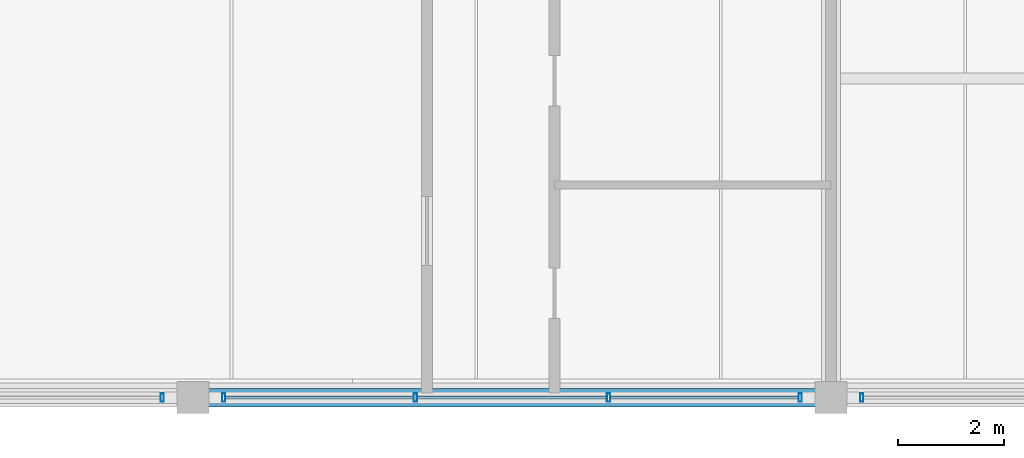
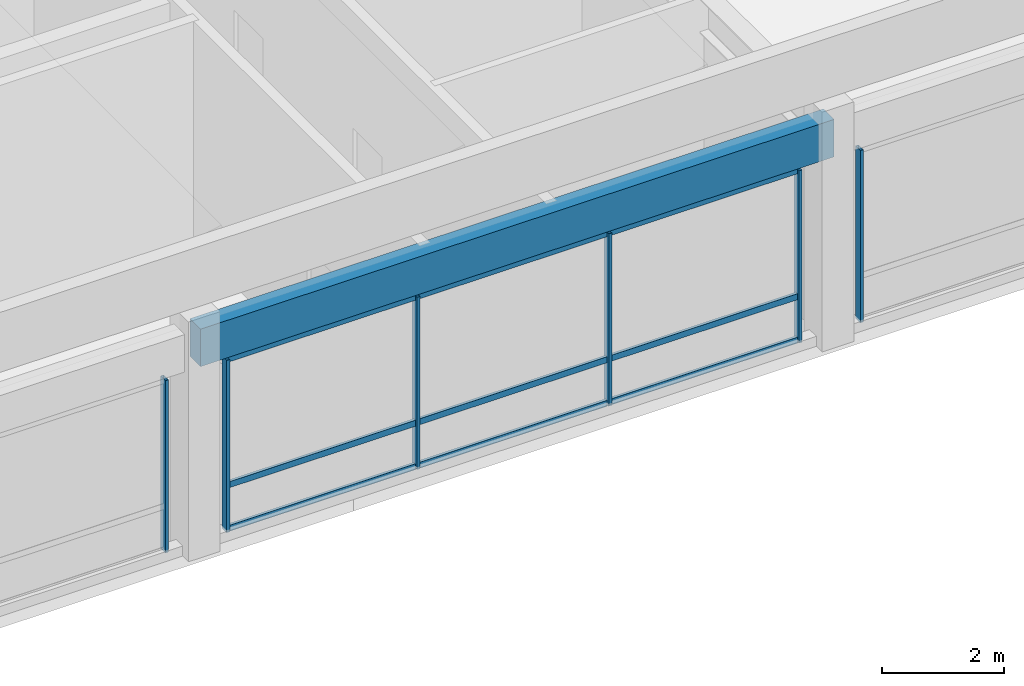
# One storey, part 5 of 16: 15 members, 1 beam, 3 elements without a shape of their own.
"""IFC4 building model written with IfcOpenShell, lengths in metres."""

from ifc_helpers import new_model, si_unit, direction, frame, origin, origin_2d, place, context, subcontext, project, spatial, rectangle, hollow_rectangle, extrude, material, material_profile, profile_set, type_object, element, aggregate, save


model = new_model("IFC4")

# Units and contexts
model_context = context("Model", 3, precision=1e-05, world=origin(), true_north=direction((0.0, 1.0)))
body_context = subcontext(model_context, "Body", "Model", "MODEL_VIEW")
ifc_project = project(units=[si_unit("LENGTHUNIT", "METRE"), si_unit("AREAUNIT", "SQUARE_METRE"), si_unit("VOLUMEUNIT", "CUBIC_METRE"), si_unit("PLANEANGLEUNIT", "RADIAN"), si_unit("MASSUNIT", "GRAM", prefix="KILO")], contexts=[model_context])

# Site, building, storey
site_placement = place(None, origin())
site = spatial("IfcSite", under=ifc_project, at=site_placement, CompositionType="ELEMENT")
building_placement = place(site_placement, origin())
building = spatial("IfcBuilding", under=site, at=building_placement, Name="Kaldorvane Square Convention Centre", CompositionType="ELEMENT")
storey_placement = place(building_placement, frame((0.0, 0.0, 70.80000305175781)))
storey = spatial("IfcBuildingStorey", under=building, at=storey_placement, Name="L17", CompositionType="ELEMENT", Elevation=70.80000305175781)

# Beam
ifc_material_1 = material(Name="Concrete f'c = 42 MPa (Normalweight)", Category="concrete")
ifc_material_profile_1 = material_profile(ifc_material_1, rectangle(XDim=0.350006103515625, YDim=0.75, at=origin_2d()), Name="RCSP750X350")
ifc_profile_set_1 = profile_set([ifc_material_profile_1], Name="Concrete f'c = 42 MPa (Normalweight)")
beam_type = type_object("IfcBeamType", Name="BM-SP-RC750", PredefinedType="SPANDREL", material=ifc_profile_set_1)
beam_placement = place(storey_placement, frame((54.0, 84.0, 4.1009979248046875), z_axis=(1.0, 0.0, 0.0), x_axis=(0.0, 1.0, 0.0)))
element("IfcBeam", 1, at=beam_placement, inside=storey, type_object=beam_type, Name="Perimeter Spandrel (L17)", PredefinedType="SPANDREL", context=body_context, shape_type="SweptSolid", body=[
    extrude(rectangle(XDim=0.350006103515625, YDim=0.75, at=origin_2d()), origin(), (0.0, 0.0, 1.0), 12.0),
])

# Curtain wall, member
ifc_material_2 = material(Name="Anodized Aluminum and Low-E Insulated Glazing", Category="aluminium")
curtain_wall_type = type_object("IfcCurtainWallType", Name="CW-UNI-PNT-12", PredefinedType="USERDEFINED", material=ifc_material_2)
curtain_wall_1_placement = place(storey_placement, origin())
curtain_wall_1 = element("IfcCurtainWall", 2, at=curtain_wall_1_placement, inside=storey, type_object=curtain_wall_type, Name="Curtain Wall CW-12 (L17)", ObjectType="UNITISED GLAZING", PredefinedType="USERDEFINED")
ifc_material_profile_2 = material_profile(ifc_material_2, hollow_rectangle(XDim=0.05999755859375, YDim=0.160003662109375, WallThickness=0.003204345703125, at=origin_2d()), Name="CWM-160X60")
ifc_profile_set_2 = profile_set([ifc_material_profile_2], Name="Anodized Aluminum and Low-E Insulated Glazing")
member_type_1 = type_object("IfcMemberType", Name="CW-MUL-160", PredefinedType="MULLION", material=ifc_profile_set_2)
member_1_placement = place(storey_placement, frame((53.41999816894531, 84.0, 0.149993896484375), z_axis=(0.0, 0.0, 1.0), x_axis=(1.0, 0.0, 0.0)))
member_1 = element("IfcMember", 3, at=member_1_placement, type_object=member_type_1, Name="CW-12 mullion 4", PredefinedType="MULLION", context=body_context, shape_type="SweptSolid", body=[
    extrude(hollow_rectangle(XDim=0.05999755859375, YDim=0.160003662109375, WallThickness=0.003204345703125, at=origin_2d()), origin(), (0.0, 0.0, 1.0), 3.4499969482421875),
])
aggregate(curtain_wall_1, [member_1])

# Curtain wall, members
curtain_wall_2_placement = place(storey_placement, origin())
curtain_wall_2 = element("IfcCurtainWall", 4, at=curtain_wall_2_placement, inside=storey, type_object=curtain_wall_type, Name="Curtain Wall CW-12 (L17)", ObjectType="UNITISED GLAZING", PredefinedType="USERDEFINED")
member_2_placement = place(storey_placement, frame((54.58000183105469, 84.0, 0.149993896484375), z_axis=(0.0, 0.0, 1.0), x_axis=(1.0, 0.0, 0.0)))
member_2 = element("IfcMember", 5, at=member_2_placement, type_object=member_type_1, Name="CW-12 mullion 1", PredefinedType="MULLION", context=body_context, shape_type="SweptSolid", body=[
    extrude(hollow_rectangle(XDim=0.05999755859375, YDim=0.160003662109375, WallThickness=0.003204345703125, at=origin_2d()), origin(), (0.0, 0.0, 1.0), 3.4499969482421875),
])
member_3_placement = place(storey_placement, frame((58.18333435058594, 84.0, 0.149993896484375), z_axis=(0.0, 0.0, 1.0), x_axis=(1.0, 0.0, 0.0)))
member_3 = element("IfcMember", 6, at=member_3_placement, type_object=member_type_1, Name="CW-12 mullion 2", PredefinedType="MULLION", context=body_context, shape_type="SweptSolid", body=[
    extrude(hollow_rectangle(XDim=0.05999755859375, YDim=0.160003662109375, WallThickness=0.003204345703125, at=origin_2d()), origin(), (0.0, 0.0, 1.0), 3.4499969482421875),
])
member_4_placement = place(storey_placement, frame((61.81666564941406, 84.0, 0.149993896484375), z_axis=(0.0, 0.0, 1.0), x_axis=(1.0, 0.0, 0.0)))
member_4 = element("IfcMember", 7, at=member_4_placement, type_object=member_type_1, Name="CW-12 mullion 3", PredefinedType="MULLION", context=body_context, shape_type="SweptSolid", body=[
    extrude(hollow_rectangle(XDim=0.05999755859375, YDim=0.160003662109375, WallThickness=0.003204345703125, at=origin_2d()), origin(), (0.0, 0.0, 1.0), 3.4499969482421875),
])
member_5_placement = place(storey_placement, frame((65.41999816894531, 84.0, 0.149993896484375), z_axis=(0.0, 0.0, 1.0), x_axis=(1.0, 0.0, 0.0)))
member_5 = element("IfcMember", 8, at=member_5_placement, type_object=member_type_1, Name="CW-12 mullion 4", PredefinedType="MULLION", context=body_context, shape_type="SweptSolid", body=[
    extrude(hollow_rectangle(XDim=0.05999755859375, YDim=0.160003662109375, WallThickness=0.003204345703125, at=origin_2d()), origin(), (0.0, 0.0, 1.0), 3.4499969482421875),
])

# Curtain wall, member
curtain_wall_3_placement = place(storey_placement, origin())
curtain_wall_3 = element("IfcCurtainWall", 9, at=curtain_wall_3_placement, inside=storey, type_object=curtain_wall_type, Name="Curtain Wall CW-12 (L17)", ObjectType="UNITISED GLAZING", PredefinedType="USERDEFINED")
member_6_placement = place(storey_placement, frame((66.58000183105469, 84.0, 0.149993896484375), z_axis=(0.0, 0.0, 1.0), x_axis=(1.0, 0.0, 0.0)))
member_6 = element("IfcMember", 10, at=member_6_placement, type_object=member_type_1, Name="CW-12 mullion 1", PredefinedType="MULLION", context=body_context, shape_type="SweptSolid", body=[
    extrude(hollow_rectangle(XDim=0.05999755859375, YDim=0.160003662109375, WallThickness=0.003204345703125, at=origin_2d()), origin(), (0.0, 0.0, 1.0), 3.4499969482421875),
])
aggregate(curtain_wall_3, [member_6])

# Member
ifc_material_profile_3 = material_profile(ifc_material_2, hollow_rectangle(XDim=0.05499267578125, YDim=0.1199951171875, WallThickness=0.0030059814453125, at=origin_2d()), Name="CWT-120X55")
ifc_profile_set_3 = profile_set([ifc_material_profile_3], Name="Anodized Aluminum and Low-E Insulated Glazing")
member_type_2 = type_object("IfcMemberType", Name="CW-TRN-120", PredefinedType="USERDEFINED", material=ifc_profile_set_3)
member_7_placement = place(storey_placement, frame((54.61000061035156, 84.0, 0.177490234375), z_axis=(1.0, 0.0, 0.0), x_axis=(0.0, 1.0, 0.0)))
member_7 = element("IfcMember", 11, at=member_7_placement, type_object=member_type_2, Name="CW-12 transom 1.1", ObjectType="TRANSOM", PredefinedType="USERDEFINED", context=body_context, shape_type="SweptSolid", body=[
    extrude(hollow_rectangle(XDim=0.05499267578125, YDim=0.1199951171875, WallThickness=0.0030059814453125, at=origin_2d()), origin(), (0.0, 0.0, 1.0), 3.5433349609375),
])

member_8_placement = place(storey_placement, frame((54.61000061035156, 84.0, 1.0500030517578125), z_axis=(1.0, 0.0, 0.0), x_axis=(0.0, 1.0, 0.0)))
member_8 = element("IfcMember", 12, at=member_8_placement, type_object=member_type_2, Name="CW-12 transom 1.2", ObjectType="TRANSOM", PredefinedType="USERDEFINED", context=body_context, shape_type="SweptSolid", body=[
    extrude(hollow_rectangle(XDim=0.05499267578125, YDim=0.1199951171875, WallThickness=0.0030059814453125, at=origin_2d()), origin(), (0.0, 0.0, 1.0), 3.5433349609375),
])

member_9_placement = place(storey_placement, frame((54.61000061035156, 84.0, 3.5724945068359375), z_axis=(1.0, 0.0, 0.0), x_axis=(0.0, 1.0, 0.0)))
member_9 = element("IfcMember", 13, at=member_9_placement, type_object=member_type_2, Name="CW-12 transom 1.3", ObjectType="TRANSOM", PredefinedType="USERDEFINED", context=body_context, shape_type="SweptSolid", body=[
    extrude(hollow_rectangle(XDim=0.05499267578125, YDim=0.1199951171875, WallThickness=0.0030059814453125, at=origin_2d()), origin(), (0.0, 0.0, 1.0), 3.5433349609375),
])

member_10_placement = place(storey_placement, frame((58.21333312988281, 84.0, 0.177490234375), z_axis=(1.0, 0.0, 0.0), x_axis=(0.0, 1.0, 0.0)))
member_10 = element("IfcMember", 14, at=member_10_placement, type_object=member_type_2, Name="CW-12 transom 2.1", ObjectType="TRANSOM", PredefinedType="USERDEFINED", context=body_context, shape_type="SweptSolid", body=[
    extrude(hollow_rectangle(XDim=0.05499267578125, YDim=0.1199951171875, WallThickness=0.0030059814453125, at=origin_2d()), origin(), (0.0, 0.0, 1.0), 3.573333740234375),
])

member_11_placement = place(storey_placement, frame((58.21333312988281, 84.0, 1.0500030517578125), z_axis=(1.0, 0.0, 0.0), x_axis=(0.0, 1.0, 0.0)))
member_11 = element("IfcMember", 15, at=member_11_placement, type_object=member_type_2, Name="CW-12 transom 2.2", ObjectType="TRANSOM", PredefinedType="USERDEFINED", context=body_context, shape_type="SweptSolid", body=[
    extrude(hollow_rectangle(XDim=0.05499267578125, YDim=0.1199951171875, WallThickness=0.0030059814453125, at=origin_2d()), origin(), (0.0, 0.0, 1.0), 3.573333740234375),
])

member_12_placement = place(storey_placement, frame((58.21333312988281, 84.0, 3.5724945068359375), z_axis=(1.0, 0.0, 0.0), x_axis=(0.0, 1.0, 0.0)))
member_12 = element("IfcMember", 16, at=member_12_placement, type_object=member_type_2, Name="CW-12 transom 2.3", ObjectType="TRANSOM", PredefinedType="USERDEFINED", context=body_context, shape_type="SweptSolid", body=[
    extrude(hollow_rectangle(XDim=0.05499267578125, YDim=0.1199951171875, WallThickness=0.0030059814453125, at=origin_2d()), origin(), (0.0, 0.0, 1.0), 3.573333740234375),
])

member_13_placement = place(storey_placement, frame((61.84666442871094, 84.0, 0.177490234375), z_axis=(1.0, 0.0, 0.0), x_axis=(0.0, 1.0, 0.0)))
member_13 = element("IfcMember", 17, at=member_13_placement, type_object=member_type_2, Name="CW-12 transom 3.1", ObjectType="TRANSOM", PredefinedType="USERDEFINED", context=body_context, shape_type="SweptSolid", body=[
    extrude(hollow_rectangle(XDim=0.05499267578125, YDim=0.1199951171875, WallThickness=0.0030059814453125, at=origin_2d()), origin(), (0.0, 0.0, 1.0), 3.5433349609375),
])

member_14_placement = place(storey_placement, frame((61.84666442871094, 84.0, 1.0500030517578125), z_axis=(1.0, 0.0, 0.0), x_axis=(0.0, 1.0, 0.0)))
member_14 = element("IfcMember", 18, at=member_14_placement, type_object=member_type_2, Name="CW-12 transom 3.2", ObjectType="TRANSOM", PredefinedType="USERDEFINED", context=body_context, shape_type="SweptSolid", body=[
    extrude(hollow_rectangle(XDim=0.05499267578125, YDim=0.1199951171875, WallThickness=0.0030059814453125, at=origin_2d()), origin(), (0.0, 0.0, 1.0), 3.5433349609375),
])

member_15_placement = place(storey_placement, frame((61.84666442871094, 84.0, 3.5724945068359375), z_axis=(1.0, 0.0, 0.0), x_axis=(0.0, 1.0, 0.0)))
member_15 = element("IfcMember", 19, at=member_15_placement, type_object=member_type_2, Name="CW-12 transom 3.3", ObjectType="TRANSOM", PredefinedType="USERDEFINED", context=body_context, shape_type="SweptSolid", body=[
    extrude(hollow_rectangle(XDim=0.05499267578125, YDim=0.1199951171875, WallThickness=0.0030059814453125, at=origin_2d()), origin(), (0.0, 0.0, 1.0), 3.5433349609375),
])

aggregate(curtain_wall_2, [member_2, member_3, member_4, member_5, member_7, member_8, member_9, member_10, member_11, member_12, member_13, member_14, member_15])

save(model, "model.ifc")
